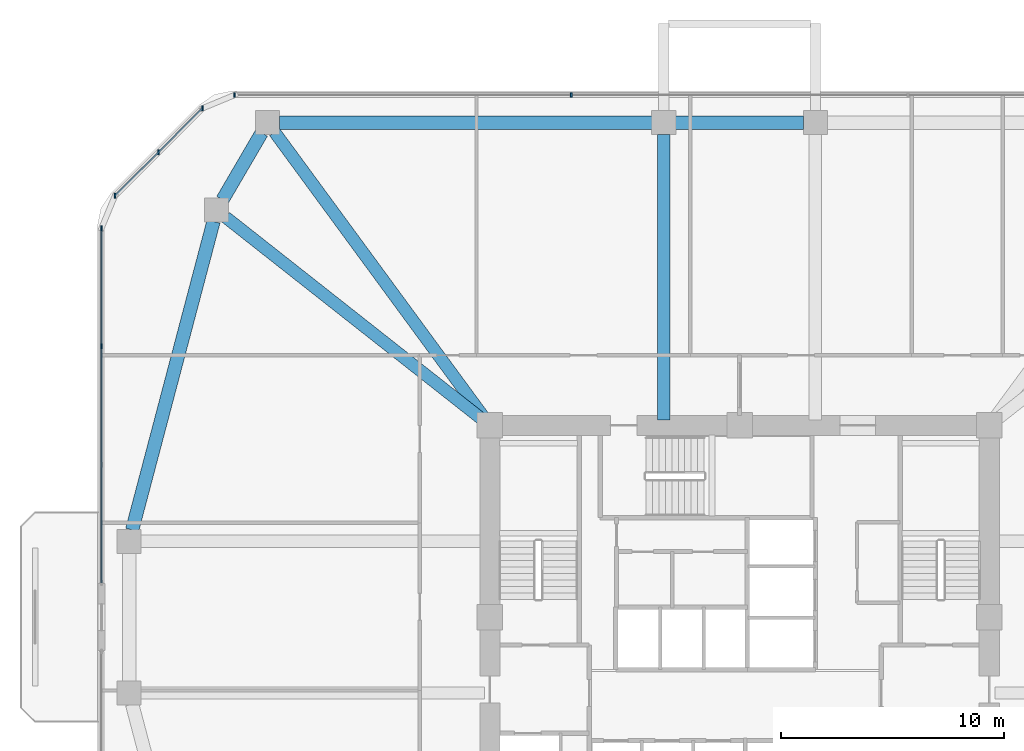
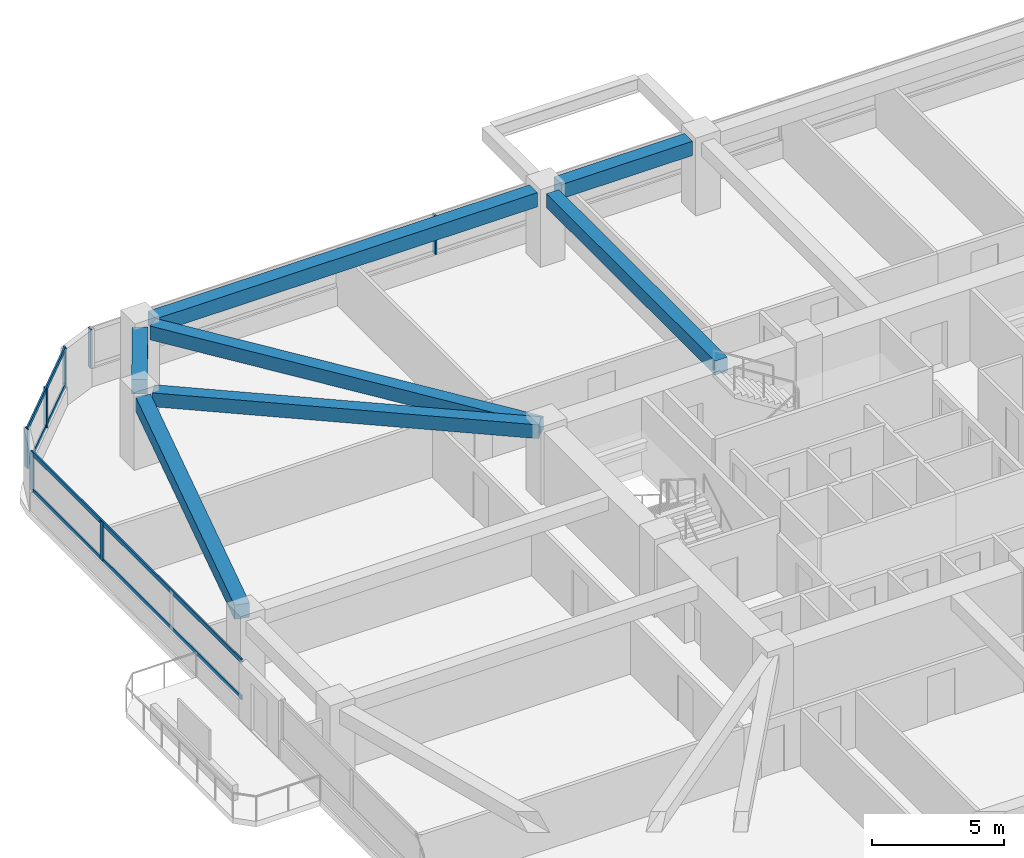
# One storey, part 6 of 15: 11 members, 7 beams, 3 elements without a shape of their own.
"""IFC4 building model written with IfcOpenShell, lengths in metres."""

import ifcopenshell
import ifcopenshell.guid

model = None  # the IFC model being written
_history = None  # IfcOwnerHistory: only IFC2X3 demands one
_inside = {}  # id of a spatial element -> (the spatial element, [elements in it])
_under = {}  # id of a project, library or spatial element -> (it, [spatial elements below it])
_declared = {}  # id of a project -> (the project, [libraries it declares])
_typed = {}  # id of a type object -> (the type object, [elements of that type])
_made_of = {}  # id of a material, layer set ... -> (it, [elements and type objects made of it])


def new_model(schema):
    """Start an empty IFC model of exactly this schema.

    Asked for "IFC4X3", IfcOpenShell would pick the latest addendum, in which some entities
    have other attributes; the version numbers below select the first issue.
    IFC2X3 requires an IfcOwnerHistory on every rooted entity: one is made here for all.
    """
    global model, _history
    if schema == "IFC4X3":
        model = ifcopenshell.file(schema_version=(4, 3, 0, 0))
    else:
        model = ifcopenshell.file(schema=schema)
    _inside.clear()
    _under.clear()
    _declared.clear()
    _typed.clear()
    _made_of.clear()
    _history = None
    if model.schema == "IFC2X3":
        org = make("IfcOrganization", Name="unknown")
        user = make(
            "IfcPersonAndOrganization",
            ThePerson=make("IfcPerson", FamilyName="unknown"),
            TheOrganization=org,
        )
        app = make(
            "IfcApplication",
            ApplicationDeveloper=org,
            Version="unknown",
            ApplicationFullName="unknown",
            ApplicationIdentifier="unknown",
        )
        _history = make(
            "IfcOwnerHistory",
            OwningUser=user,
            OwningApplication=app,
            ChangeAction="ADDED",
            CreationDate=0,
        )
    return model


def make(cls, **values):
    """One entity of the class cls with the attributes given. An attribute that is None is left unset."""
    return model.create_entity(
        cls, **{name: value for name, value in values.items() if value is not None}
    )


def rooted(cls, **values):
    """An entity with a GlobalId (a new one), such as an element, a storey or a relation."""
    return make(cls, GlobalId=ifcopenshell.guid.new(), OwnerHistory=_history, **values)


def si_unit(unit_type, name, prefix=None):
    """IfcSIUnit, for example si_unit("LENGTHUNIT", "METRE", prefix="MILLI")."""
    return make("IfcSIUnit", UnitType=unit_type, Prefix=prefix, Name=name)


def derived_unit(unit_type, elements):
    """IfcDerivedUnit: a product of units, each with its exponent."""
    return make(
        "IfcDerivedUnit",
        Elements=[
            make("IfcDerivedUnitElement", Unit=unit, Exponent=power)
            for unit, power in elements
        ],
        UnitType=unit_type,
    )


def assignment(units):
    """IfcUnitAssignment: the units of a project."""
    return None if units is None else make("IfcUnitAssignment", Units=units)


def point(xyz):
    """IfcCartesianPoint."""
    return None if xyz is None else make("IfcCartesianPoint", Coordinates=xyz)


def direction(xyz):
    """IfcDirection."""
    return None if xyz is None else make("IfcDirection", DirectionRatios=xyz)


def frame(location, z_axis=None, x_axis=None):
    """IfcAxis2Placement3D, a coordinate frame: its origin and axes. An axis left out is left unset."""
    return make(
        "IfcAxis2Placement3D",
        Location=point(location),
        Axis=direction(z_axis),
        RefDirection=direction(x_axis),
    )


def frame_2d(location, x_axis=None):
    """IfcAxis2Placement2D, a coordinate frame in the plane: its origin and x axis."""
    return make(
        "IfcAxis2Placement2D", Location=point(location), RefDirection=direction(x_axis)
    )


def origin():
    """The frame at (0, 0, 0) with its axes left unset."""
    return frame((0.0, 0.0, 0.0))


def origin_2d():
    """The frame at (0, 0) in the plane with its x axis left unset."""
    return frame_2d((0.0, 0.0))


def place(relative_to, where):
    """IfcLocalPlacement: puts the frame where relative to a parent placement (None: the world)."""
    return make(
        "IfcLocalPlacement", PlacementRelTo=relative_to, RelativePlacement=where
    )


def context(
    kind, dimensions, precision=None, world=None, true_north=None, identifier=None
):
    """IfcGeometricRepresentationContext, for example the 3D "Model" context."""
    return make(
        "IfcGeometricRepresentationContext",
        ContextIdentifier=identifier,
        ContextType=kind,
        CoordinateSpaceDimension=dimensions,
        Precision=precision,
        WorldCoordinateSystem=world,
        TrueNorth=true_north,
    )


def subcontext(parent, identifier, kind, view, scale=None):
    """IfcGeometricRepresentationSubContext, for example "Body" below "Model"."""
    return make(
        "IfcGeometricRepresentationSubContext",
        ContextIdentifier=identifier,
        ContextType=kind,
        ParentContext=parent,
        TargetScale=scale,
        TargetView=view,
    )


def project(units=None, contexts=None):
    """IfcProject with its units and contexts."""
    return rooted(
        "IfcProject",
        Name="project",
        RepresentationContexts=contexts,
        UnitsInContext=assignment(units),
    )


def spatial(cls, under=None, at=None, **own):
    """A site, building, storey or space (cls), placed at a placement, below another one or the project."""
    s = rooted(cls, ObjectPlacement=at, **own)
    if under is not None:
        _under.setdefault(under.id(), (under, []))[1].append(s)
    return s


def profile(cls, at=None, kind="AREA", **sizes):
    """A parametric profile (cls). Its sizes go by their IFC names, for example OverallWidth=200.0."""
    return make(cls, ProfileType=kind, Position=at, **sizes)


def rectangle(**sizes):
    """IfcRectangleProfileDef."""
    return profile("IfcRectangleProfileDef", **sizes)


def extrude(swept, where, along, depth):
    """IfcExtrudedAreaSolid: the profile swept, set in the frame where, extruded along a direction by depth."""
    return make(
        "IfcExtrudedAreaSolid",
        SweptArea=swept,
        Position=where,
        ExtrudedDirection=direction(along),
        Depth=depth,
    )


def shape(context_of_items, identifier, shape_type, items):
    """IfcShapeRepresentation: the items that make up one representation, for example the "Body"."""
    return make(
        "IfcShapeRepresentation",
        ContextOfItems=context_of_items,
        RepresentationIdentifier=identifier,
        RepresentationType=shape_type,
        Items=items,
    )


def material(Name=None, Category=None):
    """IfcMaterial."""
    return make("IfcMaterial", Name=Name, Category=Category)


def material_profile(
    of_material, cross_section, Name=None, Category=None, Priority=None
):
    """IfcMaterialProfile: a cross section and its material."""
    return make(
        "IfcMaterialProfile",
        Name=Name,
        Material=of_material,
        Profile=cross_section,
        Priority=Priority,
        Category=Category,
    )


def profile_set(profiles, Name=None, composite=None):
    """IfcMaterialProfileSet."""
    return make(
        "IfcMaterialProfileSet",
        Name=Name,
        MaterialProfiles=profiles,
        CompositeProfile=composite,
    )


def made_of(thing, what):
    """Note that an element or type object is made of a material, layer set ...; save() writes the relation."""
    if what is not None:
        _made_of.setdefault(what.id(), (what, []))[1].append(thing)
    return thing


def type_object(cls, material=None, **own):
    """A type object (cls), such as IfcWallType, which elements share."""
    return made_of(rooted(cls, **own), material)


def element(
    cls,
    number,
    at=None,
    inside=None,
    cuts=None,
    type_object=None,
    material=None,
    context=None,
    identifier="Body",
    shape_type=None,
    held_by="IfcProductDefinitionShape",
    body=None,
    shapes=None,
    **own,
):
    """One element of the class cls, such as IfcWall. Its Tag is "e" and its number.

    at: its placement. inside: the storey or other place that contains it. cuts: it is an
    opening in that element (IfcRelVoidsElement). A single representation is given by context,
    identifier, shape_type and body (its items); several are given by shapes. held_by: the class
    of the entity that holds the representations. save() writes the other relations.
    """
    e = rooted(cls, Tag="e%d" % number, ObjectPlacement=at, **own)
    if body is not None:
        shapes = [shape(context, identifier, shape_type, body)]
    if shapes is not None:
        e.Representation = make(held_by, Representations=shapes)
    if inside is not None:
        _inside.setdefault(inside.id(), (inside, []))[1].append(e)
    if cuts is not None:
        rooted(
            "IfcRelVoidsElement", RelatingBuildingElement=cuts, RelatedOpeningElement=e
        )
    if type_object is not None:
        _typed.setdefault(type_object.id(), (type_object, []))[1].append(e)
    return made_of(e, material)


def aggregate(whole, parts):
    """IfcRelAggregates: a whole, such as a stair, and the parts it consists of."""
    return rooted("IfcRelAggregates", RelatingObject=whole, RelatedObjects=parts)


def save(model, path):
    """Write the relations noted so far, then the file.

    IfcRelAggregates (storeys below a building ...), IfcRelContainedInSpatialStructure (elements
    in a storey), IfcRelDefinesByType, IfcRelAssociatesMaterial and IfcRelDeclares: one each for
    every whole, place, type object, material and project.
    """
    for whole, parts in _under.values():
        aggregate(whole, parts)
    for where, things in _inside.values():
        rooted(
            "IfcRelContainedInSpatialStructure",
            RelatedElements=things,
            RelatingStructure=where,
        )
    for kind, things in _typed.values():
        rooted("IfcRelDefinesByType", RelatedObjects=things, RelatingType=kind)
    for what, things in _made_of.values():
        rooted("IfcRelAssociatesMaterial", RelatedObjects=things, RelatingMaterial=what)
    for by, libraries in _declared.values():
        rooted("IfcRelDeclares", RelatingContext=by, RelatedDefinitions=libraries)
    model.write(path)


model = new_model("IFC4")

# Units and contexts
model_context = context("Model", 3, precision=1e-05, world=origin(), true_north=direction((0.0, 1.0)))
body_context = subcontext(model_context, "Body", "Model", "MODEL_VIEW")
ifc_project = project(units=[si_unit("LENGTHUNIT", "METRE"), si_unit("AREAUNIT", "SQUARE_METRE"), si_unit("VOLUMEUNIT", "CUBIC_METRE"), si_unit("PLANEANGLEUNIT", "RADIAN"), si_unit("MASSUNIT", "GRAM", prefix="KILO"), derived_unit("THERMALTRANSMITTANCEUNIT", [(si_unit("POWERUNIT", "WATT"), 1), (si_unit("LENGTHUNIT", "METRE"), -2), (si_unit("THERMODYNAMICTEMPERATUREUNIT", "KELVIN"), -1)])], contexts=[model_context])

# Site, building, storey
site_placement = place(None, origin())
site = spatial("IfcSite", under=ifc_project, at=site_placement, CompositionType="ELEMENT")
building_placement = place(site_placement, origin())
building = spatial("IfcBuilding", under=site, at=building_placement, Name="Koralith Skygarden Medical Center", CompositionType="ELEMENT")
storey_placement = place(building_placement, frame((0.0, 0.0, 27.5400390625)))
storey = spatial("IfcBuildingStorey", under=building, at=storey_placement, Name="L06", CompositionType="ELEMENT", Elevation=27.5400390625)

# Curtain wall, members
ifc_material_1 = material(Name="Clear Laminated Glass", Category="glass")
curtain_wall_type = type_object("IfcCurtainWallType", Name="CW-2 Zone 1 Hurricane Unitised Curtain Wall", PredefinedType="NOTDEFINED", material=ifc_material_1)
curtain_wall_1_placement = place(storey_placement, origin())
curtain_wall_1 = element("IfcCurtainWall", 1, at=curtain_wall_1_placement, inside=storey, type_object=curtain_wall_type, Name="Curtain Wall CW-L06-N", PredefinedType="NOTDEFINED")
ifc_material_2 = material(Name="Aluminium 6063-T6", Category="aluminium")
ifc_material_profile_1 = material_profile(ifc_material_2, rectangle(XDim=0.071044921875, YDim=0.219970703125, at=origin_2d()), Name="MUL71X220")
ifc_profile_set_1 = profile_set([ifc_material_profile_1], Name="Aluminium 6063-T6")
member_type_1 = type_object("IfcMemberType", Name="CW-2 Extruded Mullion 71x220", PredefinedType="MULLION", material=ifc_profile_set_1)
member_1_placement = place(storey_placement, frame((29.451904296875, 49.320068359375, 0.849853515625), z_axis=(0.0, 0.0, 1.0), x_axis=(1.0, 0.0, 0.0)))
member_1 = element("IfcMember", 2, at=member_1_placement, type_object=member_type_1, Name="CW-L06-N Mullion 3", PredefinedType="MULLION", context=body_context, shape_type="SweptSolid", body=[
    extrude(rectangle(XDim=0.071044921875, YDim=0.219970703125, at=origin_2d()), origin(), (0.0, 0.0, 1.0), 1.800048828125),
])
member_2_placement = place(storey_placement, frame((14.35498046875, 49.320068359375, 0.849853515625), z_axis=(0.0, 0.0, 1.0), x_axis=(1.0, 0.0, 0.0)))
member_2 = element("IfcMember", 3, at=member_2_placement, type_object=member_type_1, Name="CW-L06-N Mullion 4", PredefinedType="MULLION", context=body_context, shape_type="SweptSolid", body=[
    extrude(rectangle(XDim=0.071044921875, YDim=0.219970703125, at=origin_2d()), origin(), (0.0, 0.0, 1.0), 1.800048828125),
])
aggregate(curtain_wall_1, [member_1, member_2])

curtain_wall_2_placement = place(storey_placement, origin())
curtain_wall_2 = element("IfcCurtainWall", 4, at=curtain_wall_2_placement, inside=storey, type_object=curtain_wall_type, Name="Curtain Wall CW-L06-NW", PredefinedType="NOTDEFINED")
member_3_placement = place(storey_placement, frame((12.904052734375, 48.718994140625, 0.849853515625), z_axis=(0.0, 0.0, 1.0), x_axis=(1.0, 0.0, 0.0)))
member_3 = element("IfcMember", 5, at=member_3_placement, type_object=member_type_1, Name="CW-L06-NW Mullion 1", PredefinedType="MULLION", context=body_context, shape_type="SweptSolid", body=[
    extrude(rectangle(XDim=0.071044921875, YDim=0.219970703125, at=origin_2d()), origin(), (0.0, 0.0, 1.0), 1.800048828125),
])
member_4_placement = place(storey_placement, frame((10.94189453125, 46.758056640625, 0.849853515625), z_axis=(0.0, 0.0, 1.0), x_axis=(1.0, 0.0, 0.0)))
member_4 = element("IfcMember", 6, at=member_4_placement, type_object=member_type_1, Name="CW-L06-NW Mullion 2", PredefinedType="MULLION", context=body_context, shape_type="SweptSolid", body=[
    extrude(rectangle(XDim=0.071044921875, YDim=0.219970703125, at=origin_2d()), origin(), (0.0, 0.0, 1.0), 1.800048828125),
])
member_5_placement = place(storey_placement, frame((8.98095703125, 44.7958984375, 0.849853515625), z_axis=(0.0, 0.0, 1.0), x_axis=(1.0, 0.0, 0.0)))
member_5 = element("IfcMember", 7, at=member_5_placement, type_object=member_type_1, Name="CW-L06-NW Mullion 3", PredefinedType="MULLION", context=body_context, shape_type="SweptSolid", body=[
    extrude(rectangle(XDim=0.071044921875, YDim=0.219970703125, at=origin_2d()), origin(), (0.0, 0.0, 1.0), 1.800048828125),
])

curtain_wall_3_placement = place(storey_placement, origin())
curtain_wall_3 = element("IfcCurtainWall", 8, at=curtain_wall_3_placement, inside=storey, type_object=curtain_wall_type, Name="Curtain Wall CW-L06-W-L", PredefinedType="NOTDEFINED")
member_6_placement = place(storey_placement, frame((8.3798828125, 43.344970703125, 0.849853515625), z_axis=(0.0, 0.0, 1.0), x_axis=(1.0, 0.0, 0.0)))
member_6 = element("IfcMember", 9, at=member_6_placement, type_object=member_type_1, Name="CW-L06-W-L Mullion 1", PredefinedType="MULLION", context=body_context, shape_type="SweptSolid", body=[
    extrude(rectangle(XDim=0.071044921875, YDim=0.219970703125, at=origin_2d()), origin(), (0.0, 0.0, 1.0), 1.800048828125),
])
member_7_placement = place(storey_placement, frame((8.3798828125, 38.04296875, 0.849853515625), z_axis=(0.0, 0.0, 1.0), x_axis=(1.0, 0.0, 0.0)))
member_7 = element("IfcMember", 10, at=member_7_placement, type_object=member_type_1, Name="CW-L06-W-L Mullion 2", PredefinedType="MULLION", context=body_context, shape_type="SweptSolid", body=[
    extrude(rectangle(XDim=0.071044921875, YDim=0.219970703125, at=origin_2d()), origin(), (0.0, 0.0, 1.0), 1.800048828125),
])

# Member
ifc_material_profile_2 = material_profile(ifc_material_2, rectangle(XDim=0.06591796875, YDim=0.197998046875, at=origin_2d()), Name="TRN66X198")
ifc_profile_set_2 = profile_set([ifc_material_profile_2], Name="Aluminium 6063-T6")
member_type_2 = type_object("IfcMemberType", Name="CW-2 Thermal Transom 66x198", PredefinedType="USERDEFINED", material=ifc_profile_set_2)
member_8_placement = place(storey_placement, frame((12.904052734375, 48.718994140625, 0.89990234375), z_axis=(-0.707106781187, -0.707106781187, 0.0), x_axis=(0.707106781187, -0.707106781187, 0.0)))
member_8 = element("IfcMember", 11, at=member_8_placement, type_object=member_type_2, Name="CW-L06-NW Transom 1", ObjectType="TRANSOM", PredefinedType="USERDEFINED", context=body_context, shape_type="SweptSolid", body=[
    extrude(rectangle(XDim=0.06591796875, YDim=0.197998046875, at=origin_2d()), origin(), (0.0, 0.0, 1.0), 5.548095703125),
])

member_9_placement = place(storey_placement, frame((12.904052734375, 48.718994140625, 2.599853515625), z_axis=(-0.707106781187, -0.707106781187, 0.0), x_axis=(0.707106781187, -0.707106781187, 0.0)))
member_9 = element("IfcMember", 12, at=member_9_placement, type_object=member_type_2, Name="CW-L06-NW Transom 2", ObjectType="TRANSOM", PredefinedType="USERDEFINED", context=body_context, shape_type="SweptSolid", body=[
    extrude(rectangle(XDim=0.06591796875, YDim=0.197998046875, at=origin_2d()), origin(), (0.0, 0.0, 1.0), 5.548095703125),
])

aggregate(curtain_wall_2, [member_3, member_4, member_5, member_8, member_9])

member_10_placement = place(storey_placement, frame((8.3798828125, 43.344970703125, 0.89990234375), z_axis=(0.0, -1.0, 0.0), x_axis=(1.0, 0.0, 0.0)))
member_10 = element("IfcMember", 13, at=member_10_placement, type_object=member_type_2, Name="CW-L06-W-L Transom 1", ObjectType="TRANSOM", PredefinedType="USERDEFINED", context=body_context, shape_type="SweptSolid", body=[
    extrude(rectangle(XDim=0.06591796875, YDim=0.197998046875, at=origin_2d()), origin(), (0.0, 0.0, 1.0), 15.905029296875),
])

member_11_placement = place(storey_placement, frame((8.3798828125, 43.344970703125, 2.599853515625), z_axis=(0.0, -1.0, 0.0), x_axis=(1.0, 0.0, 0.0)))
member_11 = element("IfcMember", 14, at=member_11_placement, type_object=member_type_2, Name="CW-L06-W-L Transom 2", ObjectType="TRANSOM", PredefinedType="USERDEFINED", context=body_context, shape_type="SweptSolid", body=[
    extrude(rectangle(XDim=0.06591796875, YDim=0.197998046875, at=origin_2d()), origin(), (0.0, 0.0, 1.0), 15.905029296875),
])

aggregate(curtain_wall_3, [member_6, member_7, member_10, member_11])

# Beams
ifc_material_3 = material(Name="Concrete C45/55", Category="concrete")
ifc_material_profile_3 = material_profile(ifc_material_3, rectangle(XDim=0.550048828125, YDim=0.639892578125, at=origin_2d()), Name="RCB550X640")
ifc_profile_set_3 = profile_set([ifc_material_profile_3], Name="Concrete C45/55")
beam_type_1 = type_object("IfcBeamType", Name="Radial Collector Beam RCB550X640", PredefinedType="BEAM", material=ifc_profile_set_3)
beam_1_placement = place(storey_placement, frame((33.60009765625, 34.75, 3.0), z_axis=(0.0, 1.0, 0.0), x_axis=(-1.0, 0.0, 0.0)))
element("IfcBeam", 15, at=beam_1_placement, inside=storey, type_object=beam_type_1, Name="L06 Radial Collector Beam RB-13", PredefinedType="BEAM", context=body_context, shape_type="SweptSolid", body=[
    extrude(rectangle(XDim=0.550048828125, YDim=0.639892578125, at=origin_2d()), origin(), (0.0, 0.0, 1.0), 12.800048828125),
])
beam_2_placement = place(storey_placement, frame((25.652099609375, 34.701904296875, 3.0), z_axis=(-0.591710803277, 0.806150311843, 0.0), x_axis=(-0.806150311843, -0.591710803277, 0.0)))
element("IfcBeam", 16, at=beam_2_placement, inside=storey, type_object=beam_type_1, Name="L06 Radial Collector Beam RB-14", PredefinedType="BEAM", context=body_context, shape_type="SweptSolid", body=[
    extrude(rectangle(XDim=0.550048828125, YDim=0.639892578125, at=origin_2d()), origin(), (0.0, 0.0, 1.0), 16.0654296875),
])
beam_3_placement = place(storey_placement, frame((25.60400390625, 34.655029296875, 3.0), z_axis=(-0.785497250365, 0.618865146594, 0.0), x_axis=(-0.618865146594, -0.785497250365, 0.0)))
element("IfcBeam", 17, at=beam_3_placement, inside=storey, type_object=beam_type_1, Name="L06 Radial Collector Beam RB-15", PredefinedType="BEAM", context=body_context, shape_type="SweptSolid", body=[
    extrude(rectangle(XDim=0.550048828125, YDim=0.639892578125, at=origin_2d()), origin(), (0.0, 0.0, 1.0), 14.828857421875),
])
ifc_material_profile_4 = material_profile(ifc_material_3, rectangle(XDim=0.60009765625, YDim=0.659912109375, at=origin_2d()), Name="RCB600X660")
ifc_profile_set_4 = profile_set([ifc_material_profile_4], Name="Concrete C45/55")
beam_type_2 = type_object("IfcBeamType", Name="Zone 1 Spandrel Beam RCB600X660", PredefinedType="SPANDREL", material=ifc_profile_set_4)
beam_4_placement = place(storey_placement, frame((39.8701171875, 48.080078125, 2.989990234375), z_axis=(-1.0, 0.0, 0.0), x_axis=(0.0, -1.0, 0.0)))
element("IfcBeam", 18, at=beam_4_placement, inside=storey, type_object=beam_type_2, Name="L06 Perimeter Spandrel Beam SP-12", PredefinedType="SPANDREL", context=body_context, shape_type="SweptSolid", body=[
    extrude(rectangle(XDim=0.60009765625, YDim=0.659912109375, at=origin_2d()), origin(), (0.0, 0.0, 1.0), 5.740234375),
])
beam_5_placement = place(storey_placement, frame((33.070068359375, 48.080078125, 2.989990234375), z_axis=(-1.0, 0.0, 0.0), x_axis=(0.0, -1.0, 0.0)))
element("IfcBeam", 19, at=beam_5_placement, inside=storey, type_object=beam_type_2, Name="L06 Perimeter Spandrel Beam SP-13", PredefinedType="SPANDREL", context=body_context, shape_type="SweptSolid", body=[
    extrude(rectangle(XDim=0.60009765625, YDim=0.659912109375, at=origin_2d()), origin(), (0.0, 0.0, 1.0), 16.7080078125),
])
beam_6_placement = place(storey_placement, frame((15.56396484375, 47.6220703125, 2.989990234375), z_axis=(-0.504608092658, -0.863348523381, 0.0), x_axis=(0.863348523381, -0.504608092658, 0.0)))
element("IfcBeam", 20, at=beam_6_placement, inside=storey, type_object=beam_type_2, Name="L06 Perimeter Spandrel Beam SP-14", PredefinedType="SPANDREL", context=body_context, shape_type="SweptSolid", body=[
    extrude(rectangle(XDim=0.60009765625, YDim=0.659912109375, at=origin_2d()), origin(), (0.0, 0.0, 1.0), 3.479736328125),
])
beam_7_placement = place(storey_placement, frame((13.405029296875, 43.64794921875, 2.989990234375), z_axis=(-0.255088684842, -0.966917660851, 0.0), x_axis=(0.966917660851, -0.255088684842, 0.0)))
element("IfcBeam", 21, at=beam_7_placement, inside=storey, type_object=beam_type_2, Name="L06 Perimeter Spandrel Beam SP-15", PredefinedType="SPANDREL", context=body_context, shape_type="SweptSolid", body=[
    extrude(rectangle(XDim=0.60009765625, YDim=0.659912109375, at=origin_2d()), origin(), (0.0, 0.0, 1.0), 14.309326171875),
])

save(model, "model.ifc")
